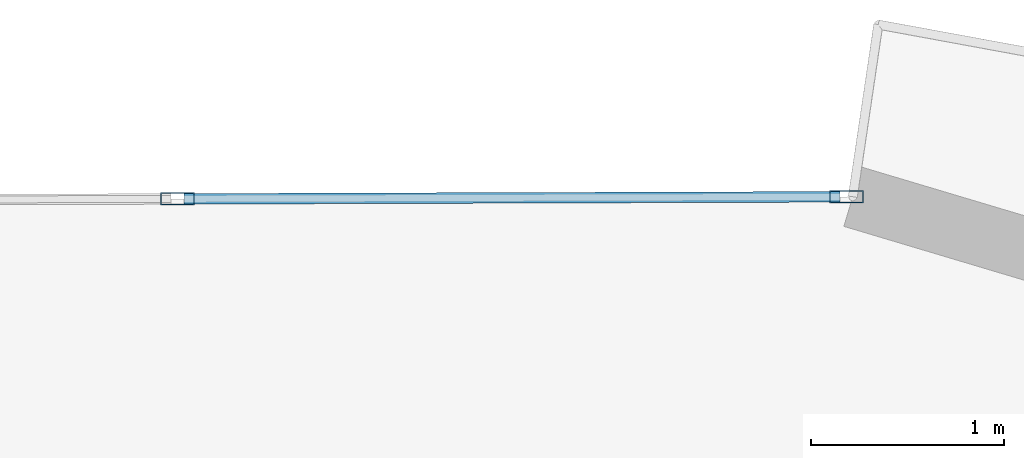
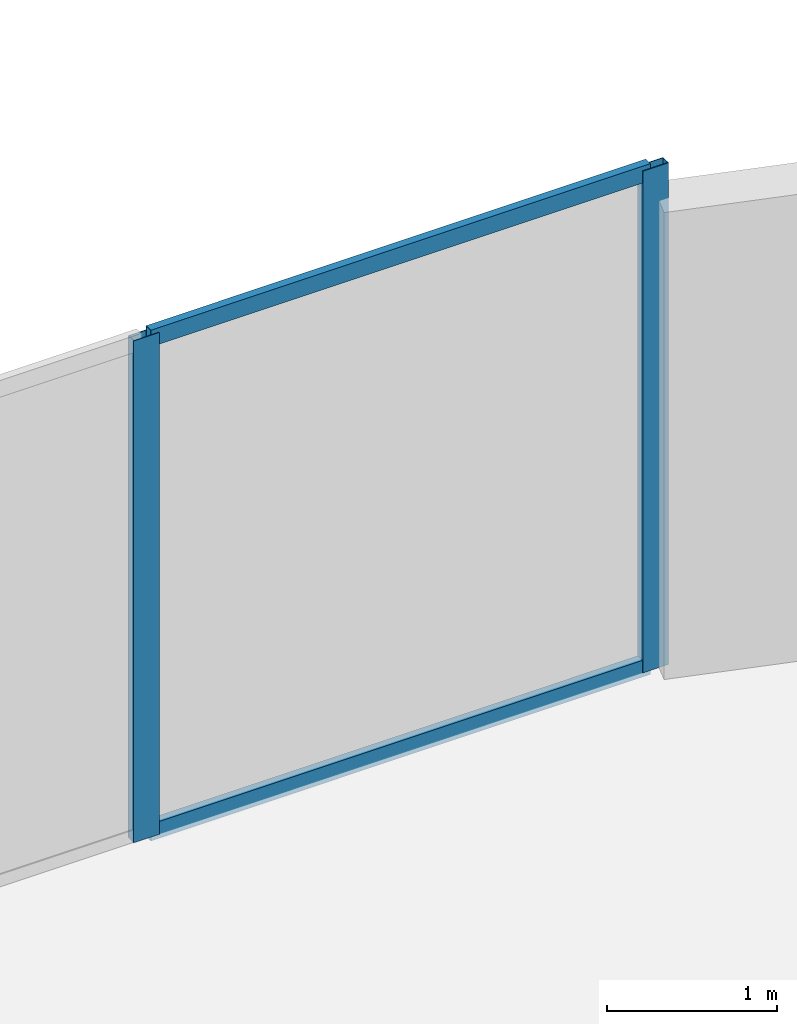
# One storey, part 14 of 21: 4 members, 1 element without a shape of its own.
"""IFC4 building model written with IfcOpenShell, lengths in metres."""

from ifc_helpers import new_model, si_unit, direction, frame, origin, origin_2d, place, context, subcontext, project, spatial, hollow_rectangle, extrude, source, transform, mapped, material, layer, layer_set, material_profile, profile_set, type_object, element, aggregate, save


model = new_model("IFC4")

# Units and contexts
model_context = context("Model", 3, precision=1e-05, world=origin(), true_north=direction((0.0, 1.0)))
body_context = subcontext(model_context, "Body", "Model", "MODEL_VIEW")
ifc_project = project(units=[si_unit("LENGTHUNIT", "METRE"), si_unit("AREAUNIT", "SQUARE_METRE"), si_unit("VOLUMEUNIT", "CUBIC_METRE"), si_unit("PLANEANGLEUNIT", "RADIAN"), si_unit("MASSUNIT", "GRAM", prefix="KILO")], contexts=[model_context])

# Site, building, storey
site_placement = place(None, origin())
site = spatial("IfcSite", under=ifc_project, at=site_placement, CompositionType="ELEMENT")
building_placement = place(site_placement, origin())
building = spatial("IfcBuilding", under=site, at=building_placement, Name="Solvirekh Grand Hotel", CompositionType="ELEMENT")
storey_placement = place(building_placement, frame((0.0, 0.0, 131.39990234375)))
storey = spatial("IfcBuildingStorey", under=building, at=storey_placement, Name="L33", CompositionType="ELEMENT", Elevation=131.39990234375)

# Curtain wall, members
ifc_material = material(Name="Anodized Bronze Aluminium 6063-T6", Category="aluminium")
ifc_layer = layer(ifc_material, 0.175048828125)
ifc_layer_set = layer_set([ifc_layer], Name="Anodized Bronze Aluminium 6063-T6")
curtain_wall_type = type_object("IfcCurtainWallType", Name="CW_Sys3_MidZoneFlushBronzeCW", PredefinedType="NOTDEFINED", material=ifc_layer_set)
curtain_wall_placement = place(storey_placement, origin())
curtain_wall = element("IfcCurtainWall", 1, at=curtain_wall_placement, inside=storey, type_object=curtain_wall_type, Name="L33 unitised bronze-glass curtain wall CW-L33-C08", PredefinedType="NOTDEFINED")
ifc_material_profile_1 = material_profile(ifc_material, hollow_rectangle(XDim=0.06494140625, YDim=0.175048828125, WallThickness=0.0048828125, at=origin_2d()), Name="ALU RHS 175X65X5")
ifc_profile_set_1 = profile_set([ifc_material_profile_1], Name="Anodized Bronze Aluminium 6063-T6")
member_type_1 = type_object("IfcMemberType", Name="CWMullion_Sys3", PredefinedType="MULLION", material=ifc_profile_set_1)
shared_shape_1 = source(origin(), body_context, "Body", "SweptSolid", [
    extrude(hollow_rectangle(XDim=0.06494140625, YDim=0.175048828125, WallThickness=0.0048828125, at=origin_2d()), origin(), (0.0, 0.0, 1.0), 3.60009765625),
])
member_1_placement = place(storey_placement, frame((-1.6923828125, 21.708984375, 0.0), z_axis=(0.0, 0.0, 1.0), x_axis=(0.003147788104, -0.999995045703, 0.0)))
member_1 = element("IfcMember", 2, at=member_1_placement, type_object=member_type_1, Name="U03 mullion 1", PredefinedType="MULLION", context=body_context, shape_type="MappedRepresentation", body=[
    mapped(shared_shape_1, transform((0.0, 0.0, 0.0), x_axis=(1.0, 0.0, 0.0), y_axis=(0.0, 1.0, 0.0), z_axis=(0.0, 0.0, 1.0), scale=1.0)),
])
member_2_placement = place(storey_placement, frame((-5.154541015625, 21.697998046875, 0.0), z_axis=(0.0, 0.0, 1.0), x_axis=(0.003147788104, -0.999995045703, 0.0)))
member_2 = element("IfcMember", 3, at=member_2_placement, type_object=member_type_1, Name="U03 mullion 2", PredefinedType="MULLION", context=body_context, shape_type="MappedRepresentation", body=[
    mapped(shared_shape_1, transform((0.0, 0.0, 0.0), x_axis=(1.0, 0.0, 0.0), y_axis=(0.0, 1.0, 0.0), z_axis=(0.0, 0.0, 1.0), scale=1.0)),
])
ifc_material_profile_2 = material_profile(ifc_material, hollow_rectangle(XDim=0.054931640625, YDim=0.1201171875, WallThickness=0.00390625, at=origin_2d()), Name="ALU RHS 120X55X4")
ifc_profile_set_2 = profile_set([ifc_material_profile_2], Name="Anodized Bronze Aluminium 6063-T6")
member_type_2 = type_object("IfcMemberType", Name="CWTransom_Sys3", PredefinedType="USERDEFINED", material=ifc_profile_set_2)
shared_shape_2 = source(origin(), body_context, "Body", "SweptSolid", [
    extrude(hollow_rectangle(XDim=0.054931640625, YDim=0.1201171875, WallThickness=0.00390625, at=origin_2d()), origin(), (0.0, 0.0, 1.0), 3.39697265625),
])
member_3_placement = place(storey_placement, frame((-1.72509765625, 21.708740234375, 0.027587890625), z_axis=(-0.999995000022, -0.003162266782, 0.0), x_axis=(0.003162266782, -0.999995000022, 0.0)))
member_3 = element("IfcMember", 4, at=member_3_placement, type_object=member_type_2, Name="U03 transom 1.1", ObjectType="TRANSOM", PredefinedType="USERDEFINED", context=body_context, shape_type="MappedRepresentation", body=[
    mapped(shared_shape_2, transform((0.0, 0.0, 0.0), x_axis=(1.0, 0.0, 0.0), y_axis=(0.0, 1.0, 0.0), z_axis=(0.0, 0.0, 1.0), scale=1.0)),
])
member_4_placement = place(storey_placement, frame((-1.72509765625, 21.708740234375, 3.572509765625), z_axis=(-0.999995000022, -0.003162266782, 0.0), x_axis=(0.003162266782, -0.999995000022, 0.0)))
member_4 = element("IfcMember", 5, at=member_4_placement, type_object=member_type_2, Name="U03 transom 1.2", ObjectType="TRANSOM", PredefinedType="USERDEFINED", context=body_context, shape_type="MappedRepresentation", body=[
    mapped(shared_shape_2, transform((0.0, 0.0, 0.0), x_axis=(1.0, 0.0, 0.0), y_axis=(0.0, 1.0, 0.0), z_axis=(0.0, 0.0, 1.0), scale=1.0)),
])
aggregate(curtain_wall, [member_1, member_2, member_3, member_4])

save(model, "model.ifc")
